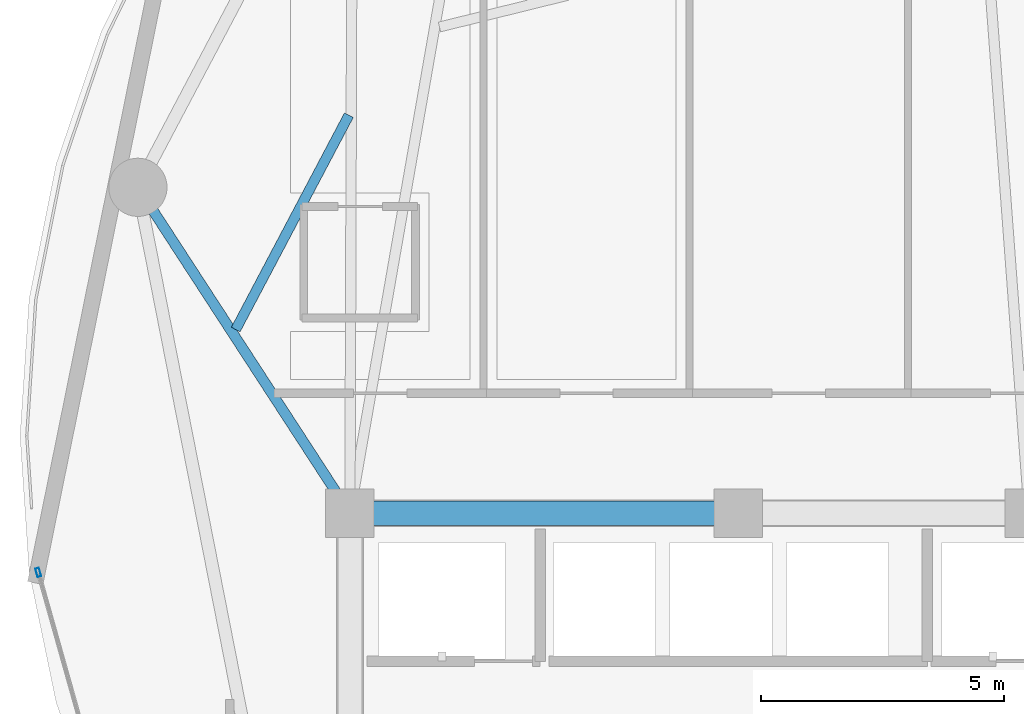
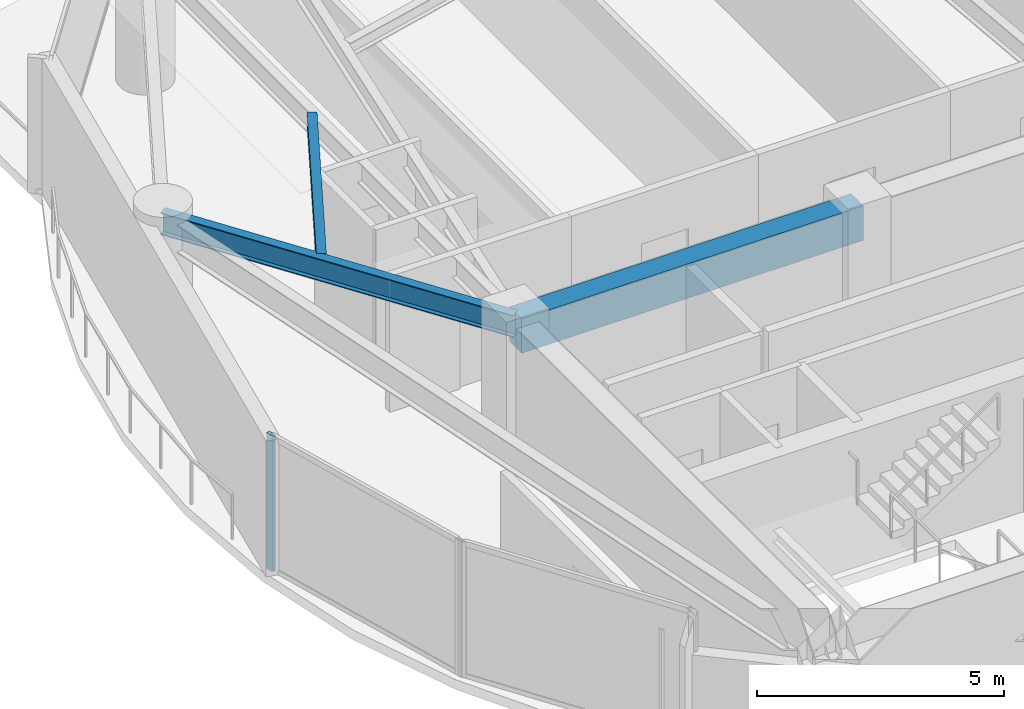
# One storey, part 7 of 28: 3 beams, 1 member, 1 element without a shape of its own.
"""IFC4 building model written with IfcOpenShell, lengths in metres."""

from ifc_helpers import new_model, si_unit, direction, frame, origin, origin_2d, place, context, subcontext, project, spatial, rectangle, hollow_rectangle, i_section, extrude, material, layer, layer_set, material_profile, profile_set, type_object, element, aggregate, save


model = new_model("IFC4")

# Units and contexts
model_context = context("Model", 3, precision=1e-05, world=origin(), true_north=direction((0.0, 1.0)))
body_context = subcontext(model_context, "Body", "Model", "MODEL_VIEW")
ifc_project = project(units=[si_unit("LENGTHUNIT", "METRE"), si_unit("AREAUNIT", "SQUARE_METRE"), si_unit("VOLUMEUNIT", "CUBIC_METRE"), si_unit("PLANEANGLEUNIT", "RADIAN"), si_unit("MASSUNIT", "GRAM", prefix="KILO")], contexts=[model_context])

# Site, building, storey
site_placement = place(None, origin())
site = spatial("IfcSite", under=ifc_project, at=site_placement, CompositionType="ELEMENT")
building_placement = place(site_placement, origin())
building = spatial("IfcBuilding", under=site, at=building_placement, Name="Kazevale Care Tower and Concert Hall", CompositionType="ELEMENT")
storey_placement = place(building_placement, frame((0.0, 0.0, 102.60009765625)))
storey = spatial("IfcBuildingStorey", under=building, at=storey_placement, Name="L26", CompositionType="ELEMENT", Elevation=102.60009765625)

# Curtain wall, member
ifc_material_1 = material(Name="Aluminium 6063-T6 and Low-E Glass", Category="aluminium")
ifc_layer = layer(ifc_material_1, 0.179931640625)
ifc_layer_set = layer_set([ifc_layer], Name="Aluminium 6063-T6 and Low-E Glass")
curtain_wall_type = type_object("IfcCurtainWallType", Name="Waist & Upper Residential Curtain Wall CW-4", PredefinedType="NOTDEFINED", material=ifc_layer_set)
curtain_wall_placement = place(storey_placement, origin())
curtain_wall = element("IfcCurtainWall", 1, at=curtain_wall_placement, inside=storey, type_object=curtain_wall_type, Name="cw:L26:f12", PredefinedType="NOTDEFINED")
ifc_material_2 = material(Name="Aluminium 6063-T6", Category="aluminium")
ifc_material_profile_1 = material_profile(ifc_material_2, hollow_rectangle(XDim=0.080078125, YDim=0.179931640625, WallThickness=0.0048828125, at=origin_2d()), Name="ALU80x180x5")
ifc_profile_set_1 = profile_set([ifc_material_profile_1], Name="Aluminium 6063-T6")
member_type = type_object("IfcMemberType", Name="CW-4 Mullion ALU80x180x5", PredefinedType="MULLION", material=ifc_profile_set_1)
member_placement = place(storey_placement, frame((15.576904296875, 35.18359375, 0.0), z_axis=(0.0, 0.0, 1.0), x_axis=(-0.962499078876, -0.271284948278, 0.0)))
member = element("IfcMember", 2, at=member_placement, type_object=member_type, Name="CW-4 mullion 2", PredefinedType="MULLION", context=body_context, shape_type="SweptSolid", body=[
    extrude(hollow_rectangle(XDim=0.080078125, YDim=0.179931640625, WallThickness=0.0048828125, at=origin_2d()), origin(), (0.0, 0.0, 1.0), 3.35986328125),
])
aggregate(curtain_wall, [member])

# Beams
ifc_material_3 = material(Name="Concrete C60", Category="concrete")
ifc_material_profile_2 = material_profile(ifc_material_3, rectangle(XDim=0.5, YDim=0.85009765625, at=origin_2d()), Name="RC-B500x850")
ifc_profile_set_2 = profile_set([ifc_material_profile_2], Name="Concrete C60")
beam_type_1 = type_object("IfcBeamType", Name="Core Coupling Beam RC500x850", PredefinedType="LINTEL", material=ifc_profile_set_2)
beam_1_placement = place(storey_placement, frame((30.0, 36.39990234375, 2.934814453125), z_axis=(-1.0, 0.0, 0.0), x_axis=(0.0, -1.0, 0.0)))
element("IfcBeam", 3, at=beam_1_placement, inside=storey, type_object=beam_type_1, Name="beam:L26:coretie:7", PredefinedType="LINTEL", context=body_context, shape_type="SweptSolid", body=[
    extrude(rectangle(XDim=0.5, YDim=0.85009765625, at=origin_2d()), origin(), (0.0, 0.0, 1.0), 8.0),
])
ifc_material_4 = material(Name="Steel ASTM A572 Gr 50", Category="steel")
ifc_material_profile_3 = material_profile(ifc_material_4, i_section(OverallWidth=0.2119140625, OverallDepth=0.5439453125, WebThickness=0.01318359375, FlangeThickness=0.021240234375, at=origin_2d()), Name="W530x123")
ifc_profile_set_3 = profile_set([ifc_material_profile_3], Name="Steel ASTM A572 Gr 50")
beam_type_2 = type_object("IfcBeamType", Name="Radial Floor Girder W530x123", PredefinedType="BEAM", material=ifc_profile_set_3)
beam_2_placement = place(storey_placement, frame((22.0, 36.39990234375, 3.087890625), z_axis=(-0.5451617613, 0.83833087383, 0.0), x_axis=(-0.83833087383, -0.5451617613, 0.0)))
element("IfcBeam", 4, at=beam_2_placement, inside=storey, type_object=beam_type_2, Name="beam:L26:rad:09", PredefinedType="BEAM", context=body_context, shape_type="SweptSolid", body=[
    extrude(i_section(OverallWidth=0.2119140625, OverallDepth=0.5439453125, WebThickness=0.01318359375, FlangeThickness=0.021240234375, at=origin_2d()), origin(), (0.0, 0.0, 1.0), 8.01611328125),
])
ifc_material_profile_4 = material_profile(ifc_material_4, i_section(OverallWidth=0.205078125, OverallDepth=0.35400390625, WebThickness=0.009521484375, FlangeThickness=0.016845703125, at=origin_2d()), Name="W360x79")
ifc_profile_set_4 = profile_set([ifc_material_profile_4], Name="Steel ASTM A572 Gr 50")
beam_type_3 = type_object("IfcBeamType", Name="Secondary Floor Joist W360x79", PredefinedType="JOIST", material=ifc_profile_set_4)
beam_3_placement = place(storey_placement, frame((21.97802734375, 44.60693359375, 3.182861328125), z_axis=(-0.466809583155, -0.884357853515, 0.0), x_axis=(0.884357853515, -0.466809583155, 0.0)))
element("IfcBeam", 5, at=beam_3_placement, inside=storey, type_object=beam_type_3, Name="beam:L26:joist:08", PredefinedType="JOIST", context=body_context, shape_type="SweptSolid", body=[
    extrude(i_section(OverallWidth=0.205078125, OverallDepth=0.35400390625, WebThickness=0.009521484375, FlangeThickness=0.016845703125, at=origin_2d()), origin(), (0.0, 0.0, 1.0), 4.99560546875),
])

save(model, "model.ifc")
